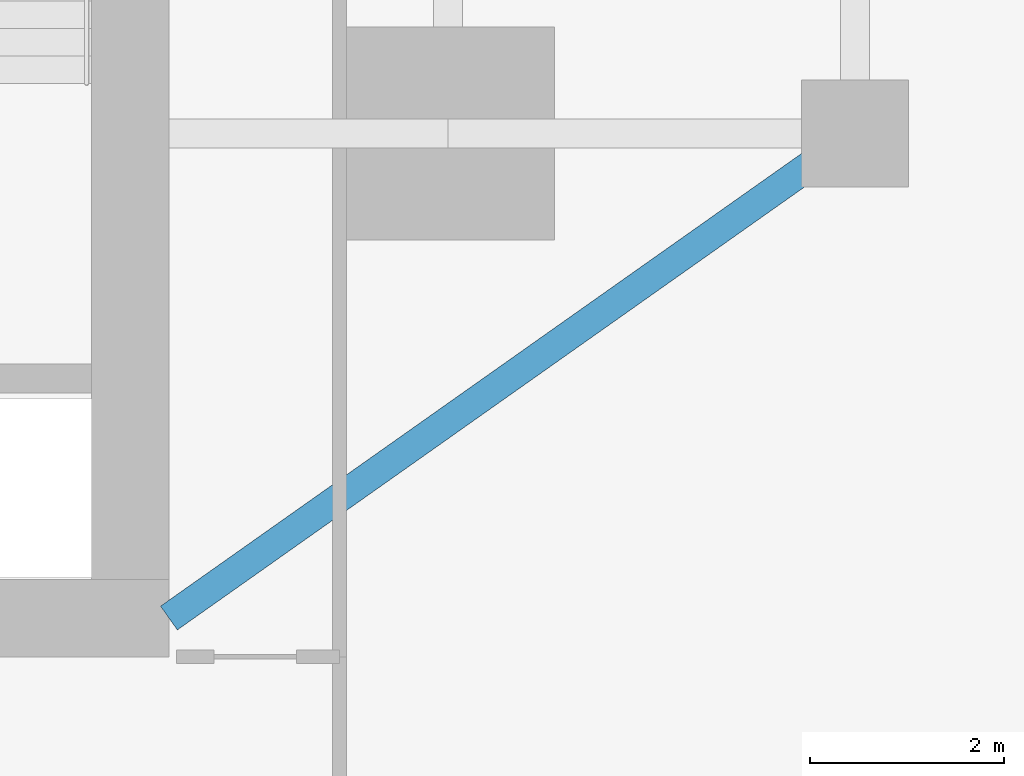
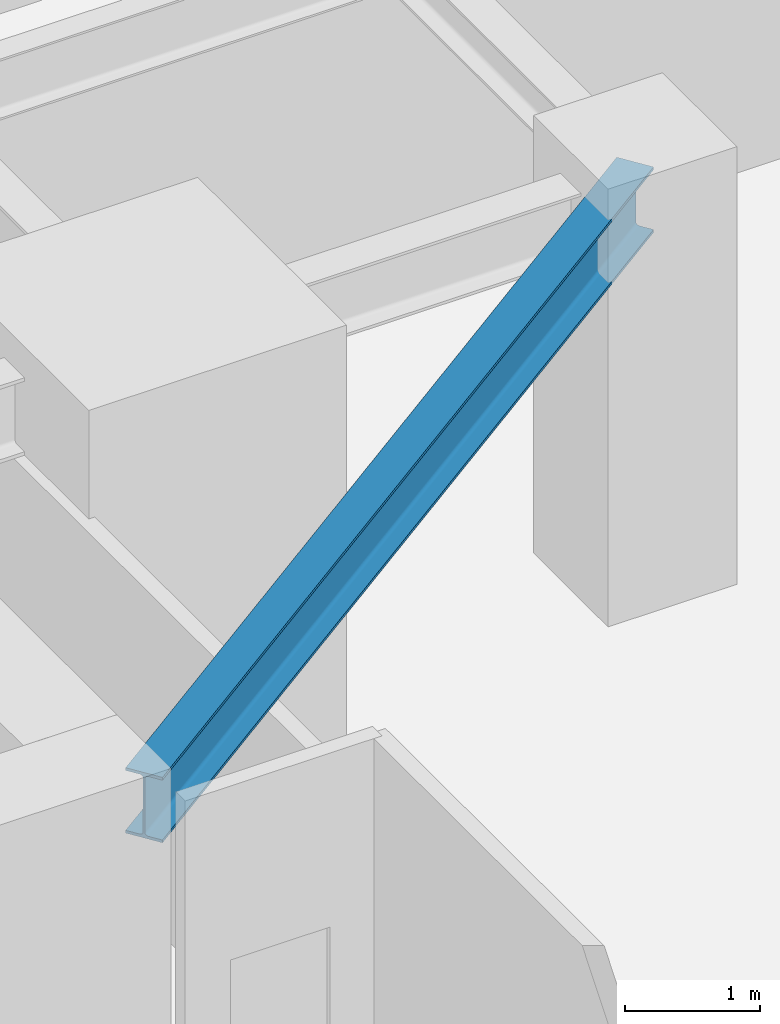
# One storey, part 11 of 29: 1 beam.
"""IFC4 building model written with IfcOpenShell, lengths in metres."""

from ifc_helpers import new_model, si_unit, direction, frame, origin, origin_2d, place, context, subcontext, project, spatial, i_section, extrude, source, transform, mapped, material, material_profile, profile_set, type_object, type_shapes, element, save


model = new_model("IFC4")

# Units and contexts
model_context = context("Model", 3, precision=1e-05, world=origin(), true_north=direction((0.0, 1.0)))
body_context = subcontext(model_context, "Body", "Model", "MODEL_VIEW")
ifc_project = project(units=[si_unit("LENGTHUNIT", "METRE"), si_unit("AREAUNIT", "SQUARE_METRE"), si_unit("VOLUMEUNIT", "CUBIC_METRE"), si_unit("PLANEANGLEUNIT", "RADIAN"), si_unit("MASSUNIT", "GRAM", prefix="KILO")], contexts=[model_context])

# Site, building, storey
site_placement = place(None, origin())
site = spatial("IfcSite", under=ifc_project, at=site_placement, CompositionType="ELEMENT")
building_placement = place(site_placement, origin())
building = spatial("IfcBuilding", under=site, at=building_placement, Name="Krantzveldt Concourse Tower", CompositionType="ELEMENT")
storey_placement = place(building_placement, frame((0.0, 0.0, 72.39990234375)))
storey = spatial("IfcBuildingStorey", under=building, at=storey_placement, Name="L17", CompositionType="ELEMENT", Elevation=72.39990234375)

# Beam
ifc_material = material(Name="Steel S355JR", Category="steel")
ifc_material_profile = material_profile(ifc_material, i_section(OverallWidth=0.300048828125, OverallDepth=0.590087890625, WebThickness=0.012939453125, FlangeThickness=0.02490234375, FilletRadius=0.027099609375, at=origin_2d()), Name="Steel S355JR", Category="steel")
ifc_profile_set = profile_set([ifc_material_profile], Name="Steel S355JR - HEA 600")
beam_type = type_object("IfcBeamType", Name="BM-B-HEA600", PredefinedType="BEAM", material=ifc_profile_set)
shared_shape = source(origin(), body_context, "Body", "SweptSolid", [
    extrude(i_section(OverallWidth=0.300048828125, OverallDepth=0.590087890625, WebThickness=0.012939453125, FlangeThickness=0.02490234375, FilletRadius=0.027099609375, at=origin_2d()), origin(), (0.0, 0.0, 1.0), 8.667724609375),
])
type_shapes(beam_type, [shared_shape])
beam_placement = place(storey_placement, frame((51.0, 15.89990234375, 3.375), z_axis=(-0.81684294656, -0.576860122261, 0.0), x_axis=(0.576860122261, -0.81684294656, 0.0)))
element("IfcBeam", 1, at=beam_placement, inside=storey, type_object=beam_type, Name="L17 Tower Girder BR-CSE", PredefinedType="BEAM", context=body_context, shape_type="MappedRepresentation", body=[
    mapped(shared_shape, transform((0.0, 0.0, 0.0), x_axis=(1.0, 0.0, 0.0), y_axis=(0.0, 1.0, 0.0), z_axis=(0.0, 0.0, 1.0), scale=1.0)),
])

save(model, "model.ifc")
